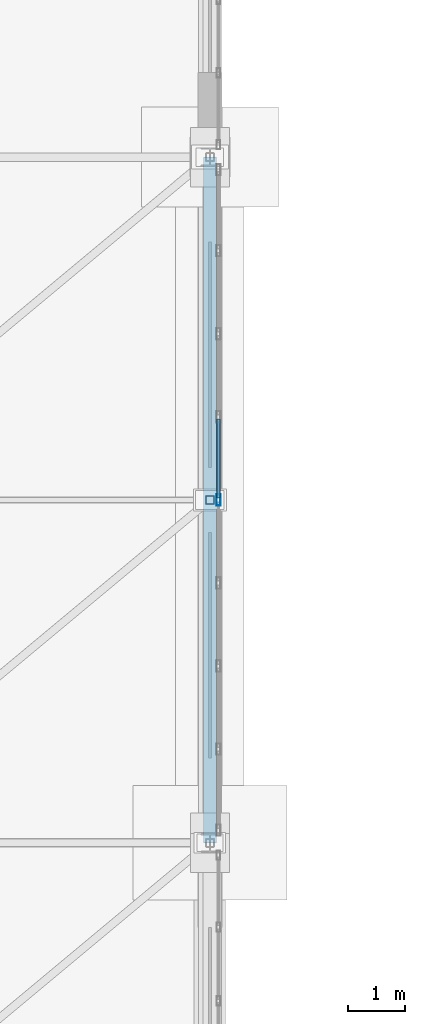
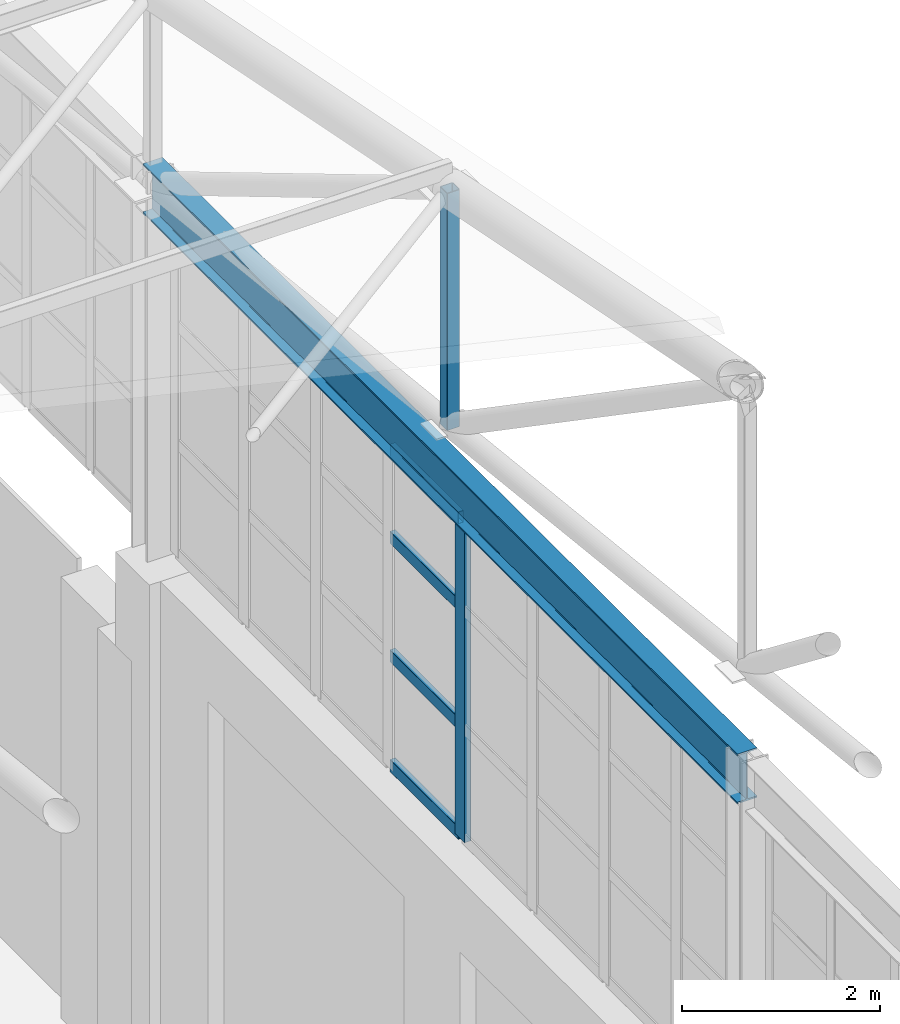
# One storey, part 196 of 293: 6 members, 1 beam, 1 element without a shape of its own.
"""IFC4 building model written with IfcOpenShell, lengths in metres."""

import ifcopenshell
import ifcopenshell.guid

model = None  # the IFC model being written
_history = None  # IfcOwnerHistory: only IFC2X3 demands one
_inside = {}  # id of a spatial element -> (the spatial element, [elements in it])
_under = {}  # id of a project, library or spatial element -> (it, [spatial elements below it])
_declared = {}  # id of a project -> (the project, [libraries it declares])
_typed = {}  # id of a type object -> (the type object, [elements of that type])
_made_of = {}  # id of a material, layer set ... -> (it, [elements and type objects made of it])


def new_model(schema):
    """Start an empty IFC model of exactly this schema.

    Asked for "IFC4X3", IfcOpenShell would pick the latest addendum, in which some entities
    have other attributes; the version numbers below select the first issue.
    IFC2X3 requires an IfcOwnerHistory on every rooted entity: one is made here for all.
    """
    global model, _history
    if schema == "IFC4X3":
        model = ifcopenshell.file(schema_version=(4, 3, 0, 0))
    else:
        model = ifcopenshell.file(schema=schema)
    _inside.clear()
    _under.clear()
    _declared.clear()
    _typed.clear()
    _made_of.clear()
    _history = None
    if model.schema == "IFC2X3":
        org = make("IfcOrganization", Name="unknown")
        user = make(
            "IfcPersonAndOrganization",
            ThePerson=make("IfcPerson", FamilyName="unknown"),
            TheOrganization=org,
        )
        app = make(
            "IfcApplication",
            ApplicationDeveloper=org,
            Version="unknown",
            ApplicationFullName="unknown",
            ApplicationIdentifier="unknown",
        )
        _history = make(
            "IfcOwnerHistory",
            OwningUser=user,
            OwningApplication=app,
            ChangeAction="ADDED",
            CreationDate=0,
        )
    return model


def make(cls, **values):
    """One entity of the class cls with the attributes given. An attribute that is None is left unset."""
    return model.create_entity(
        cls, **{name: value for name, value in values.items() if value is not None}
    )


def rooted(cls, **values):
    """An entity with a GlobalId (a new one), such as an element, a storey or a relation."""
    return make(cls, GlobalId=ifcopenshell.guid.new(), OwnerHistory=_history, **values)


def si_unit(unit_type, name, prefix=None):
    """IfcSIUnit, for example si_unit("LENGTHUNIT", "METRE", prefix="MILLI")."""
    return make("IfcSIUnit", UnitType=unit_type, Prefix=prefix, Name=name)


def assignment(units):
    """IfcUnitAssignment: the units of a project."""
    return None if units is None else make("IfcUnitAssignment", Units=units)


def point(xyz):
    """IfcCartesianPoint."""
    return None if xyz is None else make("IfcCartesianPoint", Coordinates=xyz)


def direction(xyz):
    """IfcDirection."""
    return None if xyz is None else make("IfcDirection", DirectionRatios=xyz)


def frame(location, z_axis=None, x_axis=None):
    """IfcAxis2Placement3D, a coordinate frame: its origin and axes. An axis left out is left unset."""
    return make(
        "IfcAxis2Placement3D",
        Location=point(location),
        Axis=direction(z_axis),
        RefDirection=direction(x_axis),
    )


def frame_2d(location, x_axis=None):
    """IfcAxis2Placement2D, a coordinate frame in the plane: its origin and x axis."""
    return make(
        "IfcAxis2Placement2D", Location=point(location), RefDirection=direction(x_axis)
    )


def origin():
    """The frame at (0, 0, 0) with its axes left unset."""
    return frame((0.0, 0.0, 0.0))


def origin_2d():
    """The frame at (0, 0) in the plane with its x axis left unset."""
    return frame_2d((0.0, 0.0))


def place(relative_to, where):
    """IfcLocalPlacement: puts the frame where relative to a parent placement (None: the world)."""
    return make(
        "IfcLocalPlacement", PlacementRelTo=relative_to, RelativePlacement=where
    )


def context(
    kind, dimensions, precision=None, world=None, true_north=None, identifier=None
):
    """IfcGeometricRepresentationContext, for example the 3D "Model" context."""
    return make(
        "IfcGeometricRepresentationContext",
        ContextIdentifier=identifier,
        ContextType=kind,
        CoordinateSpaceDimension=dimensions,
        Precision=precision,
        WorldCoordinateSystem=world,
        TrueNorth=true_north,
    )


def subcontext(parent, identifier, kind, view, scale=None):
    """IfcGeometricRepresentationSubContext, for example "Body" below "Model"."""
    return make(
        "IfcGeometricRepresentationSubContext",
        ContextIdentifier=identifier,
        ContextType=kind,
        ParentContext=parent,
        TargetScale=scale,
        TargetView=view,
    )


def project(units=None, contexts=None):
    """IfcProject with its units and contexts."""
    return rooted(
        "IfcProject",
        Name="project",
        RepresentationContexts=contexts,
        UnitsInContext=assignment(units),
    )


def spatial(cls, under=None, at=None, **own):
    """A site, building, storey or space (cls), placed at a placement, below another one or the project."""
    s = rooted(cls, ObjectPlacement=at, **own)
    if under is not None:
        _under.setdefault(under.id(), (under, []))[1].append(s)
    return s


def profile(cls, at=None, kind="AREA", **sizes):
    """A parametric profile (cls). Its sizes go by their IFC names, for example OverallWidth=200.0."""
    return make(cls, ProfileType=kind, Position=at, **sizes)


def hollow_rectangle(**sizes):
    """IfcRectangleHollowProfileDef."""
    return profile("IfcRectangleHollowProfileDef", **sizes)


def i_section(**sizes):
    """IfcIShapeProfileDef."""
    return profile("IfcIShapeProfileDef", **sizes)


def extrude(swept, where, along, depth):
    """IfcExtrudedAreaSolid: the profile swept, set in the frame where, extruded along a direction by depth."""
    return make(
        "IfcExtrudedAreaSolid",
        SweptArea=swept,
        Position=where,
        ExtrudedDirection=direction(along),
        Depth=depth,
    )


def shape(context_of_items, identifier, shape_type, items):
    """IfcShapeRepresentation: the items that make up one representation, for example the "Body"."""
    return make(
        "IfcShapeRepresentation",
        ContextOfItems=context_of_items,
        RepresentationIdentifier=identifier,
        RepresentationType=shape_type,
        Items=items,
    )


def material(Name=None, Category=None):
    """IfcMaterial."""
    return make("IfcMaterial", Name=Name, Category=Category)


def layer(
    of_material, thickness, ventilated=None, Name=None, Category=None, Priority=None
):
    """IfcMaterialLayer: one layer of a wall or slab, of a material (None: an air gap)."""
    return make(
        "IfcMaterialLayer",
        Material=of_material,
        LayerThickness=thickness,
        IsVentilated=ventilated,
        Name=Name,
        Category=Category,
        Priority=Priority,
    )


def layer_set(layers, Name=None):
    """IfcMaterialLayerSet."""
    return make("IfcMaterialLayerSet", MaterialLayers=layers, LayerSetName=Name)


def material_profile(
    of_material, cross_section, Name=None, Category=None, Priority=None
):
    """IfcMaterialProfile: a cross section and its material."""
    return make(
        "IfcMaterialProfile",
        Name=Name,
        Material=of_material,
        Profile=cross_section,
        Priority=Priority,
        Category=Category,
    )


def profile_set(profiles, Name=None, composite=None):
    """IfcMaterialProfileSet."""
    return make(
        "IfcMaterialProfileSet",
        Name=Name,
        MaterialProfiles=profiles,
        CompositeProfile=composite,
    )


def made_of(thing, what):
    """Note that an element or type object is made of a material, layer set ...; save() writes the relation."""
    if what is not None:
        _made_of.setdefault(what.id(), (what, []))[1].append(thing)
    return thing


def type_object(cls, material=None, **own):
    """A type object (cls), such as IfcWallType, which elements share."""
    return made_of(rooted(cls, **own), material)


def element(
    cls,
    number,
    at=None,
    inside=None,
    cuts=None,
    type_object=None,
    material=None,
    context=None,
    identifier="Body",
    shape_type=None,
    held_by="IfcProductDefinitionShape",
    body=None,
    shapes=None,
    **own,
):
    """One element of the class cls, such as IfcWall. Its Tag is "e" and its number.

    at: its placement. inside: the storey or other place that contains it. cuts: it is an
    opening in that element (IfcRelVoidsElement). A single representation is given by context,
    identifier, shape_type and body (its items); several are given by shapes. held_by: the class
    of the entity that holds the representations. save() writes the other relations.
    """
    e = rooted(cls, Tag="e%d" % number, ObjectPlacement=at, **own)
    if body is not None:
        shapes = [shape(context, identifier, shape_type, body)]
    if shapes is not None:
        e.Representation = make(held_by, Representations=shapes)
    if inside is not None:
        _inside.setdefault(inside.id(), (inside, []))[1].append(e)
    if cuts is not None:
        rooted(
            "IfcRelVoidsElement", RelatingBuildingElement=cuts, RelatedOpeningElement=e
        )
    if type_object is not None:
        _typed.setdefault(type_object.id(), (type_object, []))[1].append(e)
    return made_of(e, material)


def aggregate(whole, parts):
    """IfcRelAggregates: a whole, such as a stair, and the parts it consists of."""
    return rooted("IfcRelAggregates", RelatingObject=whole, RelatedObjects=parts)


def save(model, path):
    """Write the relations noted so far, then the file.

    IfcRelAggregates (storeys below a building ...), IfcRelContainedInSpatialStructure (elements
    in a storey), IfcRelDefinesByType, IfcRelAssociatesMaterial and IfcRelDeclares: one each for
    every whole, place, type object, material and project.
    """
    for whole, parts in _under.values():
        aggregate(whole, parts)
    for where, things in _inside.values():
        rooted(
            "IfcRelContainedInSpatialStructure",
            RelatedElements=things,
            RelatingStructure=where,
        )
    for kind, things in _typed.values():
        rooted("IfcRelDefinesByType", RelatedObjects=things, RelatingType=kind)
    for what, things in _made_of.values():
        rooted("IfcRelAssociatesMaterial", RelatedObjects=things, RelatingMaterial=what)
    for by, libraries in _declared.values():
        rooted("IfcRelDeclares", RelatingContext=by, RelatedDefinitions=libraries)
    model.write(path)


model = new_model("IFC4")

# Units and contexts
model_context = context("Model", 3, precision=1e-05, world=origin(), true_north=direction((0.0, 1.0)))
body_context = subcontext(model_context, "Body", "Model", "MODEL_VIEW")
ifc_project = project(units=[si_unit("LENGTHUNIT", "METRE"), si_unit("AREAUNIT", "SQUARE_METRE"), si_unit("VOLUMEUNIT", "CUBIC_METRE"), si_unit("PLANEANGLEUNIT", "RADIAN"), si_unit("MASSUNIT", "GRAM", prefix="KILO")], contexts=[model_context])

# Site, building, storey
site_placement = place(None, origin())
site = spatial("IfcSite", under=ifc_project, at=site_placement, CompositionType="ELEMENT")
building_placement = place(site_placement, origin())
building = spatial("IfcBuilding", under=site, at=building_placement, Name="Kemerveld Promenade Tramway Depot", CompositionType="ELEMENT")
storey_placement = place(building_placement, origin())
storey = spatial("IfcBuildingStorey", under=building, at=storey_placement, Name="L00", CompositionType="ELEMENT", Elevation=0.0)

# Beam
ifc_material_1 = material(Name="Steel S355", Category="steel")
ifc_material_profile_1 = material_profile(ifc_material_1, i_section(OverallWidth=0.22900390625, OverallDepth=0.6123046875, WebThickness=0.011962890625, FlangeThickness=0.01953125, FilletRadius=0.0126953125, at=origin_2d()), Name="610x229x125 UB")
ifc_profile_set_1 = profile_set([ifc_material_profile_1], Name="Steel S355")
beam_type = type_object("IfcBeamType", Name="BM-G04", PredefinedType="BEAM", material=ifc_profile_set_1)
beam_placement = place(storey_placement, frame((187.199951171875, 120.0, 11.093994140625), z_axis=(0.0, 1.0, 0.0), x_axis=(-1.0, 0.0, 0.0)))
element("IfcBeam", 1, at=beam_placement, inside=storey, type_object=beam_type, Name="BM-GABLE-27-R", PredefinedType="BEAM", context=body_context, shape_type="SweptSolid", body=[
    extrude(i_section(OverallWidth=0.22900390625, OverallDepth=0.6123046875, WebThickness=0.011962890625, FlangeThickness=0.01953125, FilletRadius=0.0126953125, at=origin_2d()), origin(), (0.0, 0.0, 1.0), 12.0),
])

# Curtain wall, members
ifc_material_2 = material(Name="Bronze anodised aluminium and solar glass", Category="aluminium")
ifc_layer = layer(ifc_material_2, 0.199951171875)
ifc_layer_set = layer_set([ifc_layer], Name="CW-SYS-14")
curtain_wall_type = type_object("IfcCurtainWallType", Name="CW-SYS-14", PredefinedType="USERDEFINED", material=ifc_layer_set)
curtain_wall_placement = place(storey_placement, origin())
curtain_wall = element("IfcCurtainWall", 2, at=curtain_wall_placement, inside=storey, type_object=curtain_wall_type, Name="CW-V1-E-04", ObjectType="GLAZED_CURTAIN_WALL", PredefinedType="USERDEFINED")
ifc_material_3 = material(Name="Bronze anodised aluminium", Category="aluminium")
ifc_material_profile_2 = material_profile(ifc_material_3, hollow_rectangle(XDim=0.074951171875, YDim=0.199951171875, WallThickness=0.0048828125, InnerFilletRadius=0.001953125, OuterFilletRadius=0.0048828125, at=origin_2d()), Name="CW-MUL-200x75")
ifc_profile_set_2 = profile_set([ifc_material_profile_2], Name="Bronze anodised aluminium")
member_type_1 = type_object("IfcMemberType", Name="CW-MUL-B", PredefinedType="MULLION", material=ifc_profile_set_2)
member_1_placement = place(storey_placement, frame((187.35009765625, 126.0, 6.64990234375), z_axis=(0.0, 0.0, 1.0), x_axis=(1.0, 0.0, 0.0)))
member_1 = element("IfcMember", 3, at=member_1_placement, type_object=member_type_1, Name="CW14 mullion 5", PredefinedType="MULLION", context=body_context, shape_type="SweptSolid", body=[
    extrude(hollow_rectangle(XDim=0.074951171875, YDim=0.199951171875, WallThickness=0.0048828125, InnerFilletRadius=0.001953125, OuterFilletRadius=0.0048828125, at=origin_2d()), origin(), (0.0, 0.0, 1.0), 3.9501953125),
])
ifc_material_profile_3 = material_profile(ifc_material_3, hollow_rectangle(XDim=0.06494140625, YDim=0.14990234375, WallThickness=0.00439453125, InnerFilletRadius=0.001953125, OuterFilletRadius=0.00439453125, at=origin_2d()), Name="CW-TRN-150x65")
ifc_profile_set_3 = profile_set([ifc_material_profile_3], Name="Bronze anodised aluminium")
member_type_2 = type_object("IfcMemberType", Name="CW-TRN-B", PredefinedType="USERDEFINED", material=ifc_profile_set_3)
member_2_placement = place(storey_placement, frame((187.35009765625, 127.41650390625, 6.6826171875), z_axis=(0.0, -1.0, 0.0), x_axis=(1.0, 0.0, 0.0)))
member_2 = element("IfcMember", 4, at=member_2_placement, type_object=member_type_2, Name="CW14 transom 4.1", ObjectType="TRANSOM", PredefinedType="USERDEFINED", context=body_context, shape_type="SweptSolid", body=[
    extrude(hollow_rectangle(XDim=0.06494140625, YDim=0.14990234375, WallThickness=0.00439453125, InnerFilletRadius=0.001953125, OuterFilletRadius=0.00439453125, at=origin_2d()), origin(), (0.0, 0.0, 1.0), 1.37890625),
])
member_3_placement = place(storey_placement, frame((187.35009765625, 127.41650390625, 8.032958984375), z_axis=(0.0, -1.0, 0.0), x_axis=(1.0, 0.0, 0.0)))
member_3 = element("IfcMember", 5, at=member_3_placement, type_object=member_type_2, Name="CW14 transom 4.2", ObjectType="TRANSOM", PredefinedType="USERDEFINED", context=body_context, shape_type="SweptSolid", body=[
    extrude(hollow_rectangle(XDim=0.06494140625, YDim=0.14990234375, WallThickness=0.00439453125, InnerFilletRadius=0.001953125, OuterFilletRadius=0.00439453125, at=origin_2d()), origin(), (0.0, 0.0, 1.0), 1.37890625),
])
member_4_placement = place(storey_placement, frame((187.35009765625, 127.41650390625, 9.493896484375), z_axis=(0.0, -1.0, 0.0), x_axis=(1.0, 0.0, 0.0)))
member_4 = element("IfcMember", 6, at=member_4_placement, type_object=member_type_2, Name="CW14 transom 4.3", ObjectType="TRANSOM", PredefinedType="USERDEFINED", context=body_context, shape_type="SweptSolid", body=[
    extrude(hollow_rectangle(XDim=0.06494140625, YDim=0.14990234375, WallThickness=0.00439453125, InnerFilletRadius=0.001953125, OuterFilletRadius=0.00439453125, at=origin_2d()), origin(), (0.0, 0.0, 1.0), 1.37890625),
])
member_5_placement = place(storey_placement, frame((187.35009765625, 127.41650390625, 10.5673828125), z_axis=(0.0, -1.0, 0.0), x_axis=(1.0, 0.0, 0.0)))
member_5 = element("IfcMember", 7, at=member_5_placement, type_object=member_type_2, Name="CW14 transom 4.4", ObjectType="TRANSOM", PredefinedType="USERDEFINED", context=body_context, shape_type="SweptSolid", body=[
    extrude(hollow_rectangle(XDim=0.06494140625, YDim=0.14990234375, WallThickness=0.00439453125, InnerFilletRadius=0.001953125, OuterFilletRadius=0.00439453125, at=origin_2d()), origin(), (0.0, 0.0, 1.0), 1.37890625),
])
aggregate(curtain_wall, [member_1, member_2, member_3, member_4, member_5])

# Member
ifc_material_profile_4 = material_profile(ifc_material_1, hollow_rectangle(XDim=0.14990234375, YDim=0.14990234375, WallThickness=0.008056640625, InnerFilletRadius=0.00390625, OuterFilletRadius=0.011962890625, at=origin_2d()), Name="150x150x8.0 SHS")
ifc_profile_set_4 = profile_set([ifc_material_profile_4], Name="Steel S355")
member_type_3 = type_object("IfcMemberType", Name="MB-TP2", PredefinedType="POST", material=ifc_profile_set_4)
member_6_placement = place(storey_placement, frame((187.199951171875, 126.0, 11.780029296875), z_axis=(0.0, 0.0, 1.0), x_axis=(1.0, 0.0, 0.0)))
element("IfcMember", 8, at=member_6_placement, inside=storey, type_object=member_type_3, Name="TR-27-VT-07", PredefinedType="POST", context=body_context, shape_type="SweptSolid", body=[
    extrude(hollow_rectangle(XDim=0.14990234375, YDim=0.14990234375, WallThickness=0.008056640625, InnerFilletRadius=0.00390625, OuterFilletRadius=0.011962890625, at=origin_2d()), origin(), (0.0, 0.0, 1.0), 2.919921875),
])

save(model, "model.ifc")
